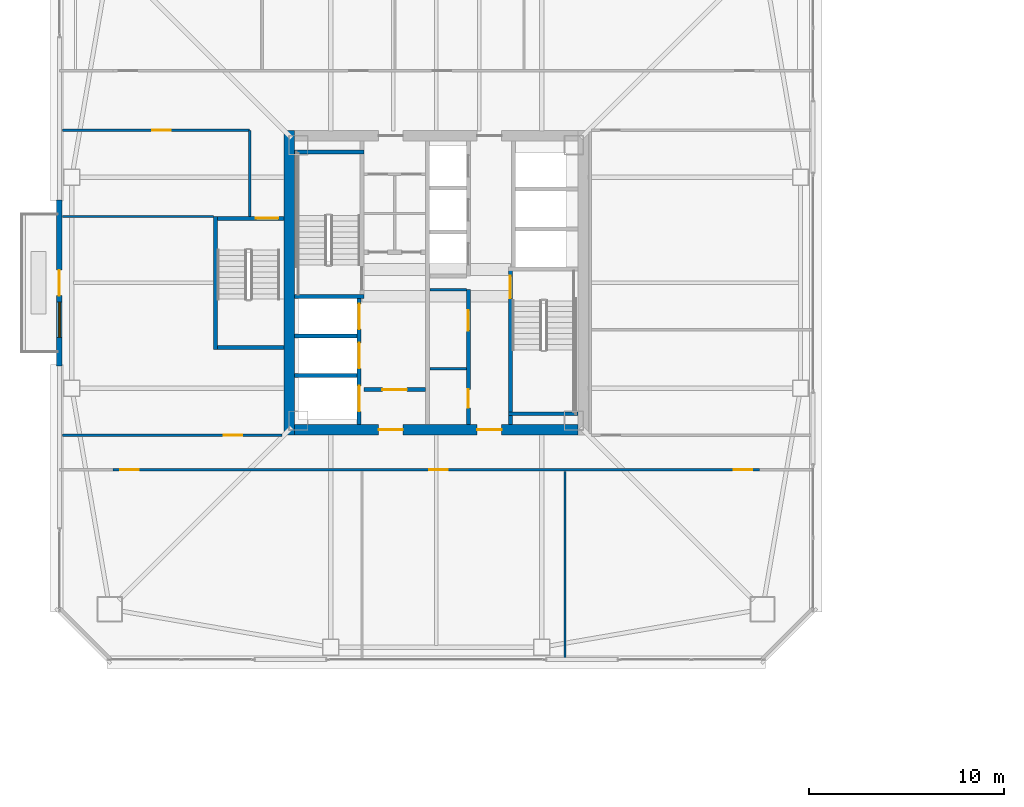
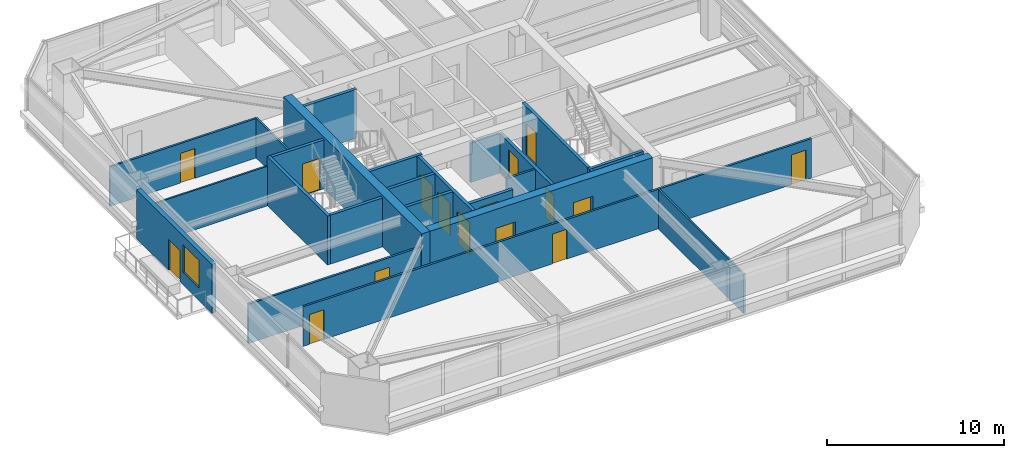
# One storey, part 35 of 46: 23 walls, 16 doors, 1 window, 17 openings.
"""IFC4 building model written with IfcOpenShell, lengths in metres."""

import ifcopenshell
import ifcopenshell.guid

model = None  # the IFC model being written
_history = None  # IfcOwnerHistory: only IFC2X3 demands one
_inside = {}  # id of a spatial element -> (the spatial element, [elements in it])
_under = {}  # id of a project, library or spatial element -> (it, [spatial elements below it])
_declared = {}  # id of a project -> (the project, [libraries it declares])
_typed = {}  # id of a type object -> (the type object, [elements of that type])
_made_of = {}  # id of a material, layer set ... -> (it, [elements and type objects made of it])


def new_model(schema):
    """Start an empty IFC model of exactly this schema.

    Asked for "IFC4X3", IfcOpenShell would pick the latest addendum, in which some entities
    have other attributes; the version numbers below select the first issue.
    IFC2X3 requires an IfcOwnerHistory on every rooted entity: one is made here for all.
    """
    global model, _history
    if schema == "IFC4X3":
        model = ifcopenshell.file(schema_version=(4, 3, 0, 0))
    else:
        model = ifcopenshell.file(schema=schema)
    _inside.clear()
    _under.clear()
    _declared.clear()
    _typed.clear()
    _made_of.clear()
    _history = None
    if model.schema == "IFC2X3":
        org = make("IfcOrganization", Name="unknown")
        user = make(
            "IfcPersonAndOrganization",
            ThePerson=make("IfcPerson", FamilyName="unknown"),
            TheOrganization=org,
        )
        app = make(
            "IfcApplication",
            ApplicationDeveloper=org,
            Version="unknown",
            ApplicationFullName="unknown",
            ApplicationIdentifier="unknown",
        )
        _history = make(
            "IfcOwnerHistory",
            OwningUser=user,
            OwningApplication=app,
            ChangeAction="ADDED",
            CreationDate=0,
        )
    return model


def make(cls, **values):
    """One entity of the class cls with the attributes given. An attribute that is None is left unset."""
    return model.create_entity(
        cls, **{name: value for name, value in values.items() if value is not None}
    )


def rooted(cls, **values):
    """An entity with a GlobalId (a new one), such as an element, a storey or a relation."""
    return make(cls, GlobalId=ifcopenshell.guid.new(), OwnerHistory=_history, **values)


def si_unit(unit_type, name, prefix=None):
    """IfcSIUnit, for example si_unit("LENGTHUNIT", "METRE", prefix="MILLI")."""
    return make("IfcSIUnit", UnitType=unit_type, Prefix=prefix, Name=name)


def assignment(units):
    """IfcUnitAssignment: the units of a project."""
    return None if units is None else make("IfcUnitAssignment", Units=units)


def point(xyz):
    """IfcCartesianPoint."""
    return None if xyz is None else make("IfcCartesianPoint", Coordinates=xyz)


def direction(xyz):
    """IfcDirection."""
    return None if xyz is None else make("IfcDirection", DirectionRatios=xyz)


def frame(location, z_axis=None, x_axis=None):
    """IfcAxis2Placement3D, a coordinate frame: its origin and axes. An axis left out is left unset."""
    return make(
        "IfcAxis2Placement3D",
        Location=point(location),
        Axis=direction(z_axis),
        RefDirection=direction(x_axis),
    )


def frame_2d(location, x_axis=None):
    """IfcAxis2Placement2D, a coordinate frame in the plane: its origin and x axis."""
    return make(
        "IfcAxis2Placement2D", Location=point(location), RefDirection=direction(x_axis)
    )


def origin():
    """The frame at (0, 0, 0) with its axes left unset."""
    return frame((0.0, 0.0, 0.0))


def place(relative_to, where):
    """IfcLocalPlacement: puts the frame where relative to a parent placement (None: the world)."""
    return make(
        "IfcLocalPlacement", PlacementRelTo=relative_to, RelativePlacement=where
    )


def context(
    kind, dimensions, precision=None, world=None, true_north=None, identifier=None
):
    """IfcGeometricRepresentationContext, for example the 3D "Model" context."""
    return make(
        "IfcGeometricRepresentationContext",
        ContextIdentifier=identifier,
        ContextType=kind,
        CoordinateSpaceDimension=dimensions,
        Precision=precision,
        WorldCoordinateSystem=world,
        TrueNorth=true_north,
    )


def subcontext(parent, identifier, kind, view, scale=None):
    """IfcGeometricRepresentationSubContext, for example "Body" below "Model"."""
    return make(
        "IfcGeometricRepresentationSubContext",
        ContextIdentifier=identifier,
        ContextType=kind,
        ParentContext=parent,
        TargetScale=scale,
        TargetView=view,
    )


def project(units=None, contexts=None):
    """IfcProject with its units and contexts."""
    return rooted(
        "IfcProject",
        Name="project",
        RepresentationContexts=contexts,
        UnitsInContext=assignment(units),
    )


def spatial(cls, under=None, at=None, **own):
    """A site, building, storey or space (cls), placed at a placement, below another one or the project."""
    s = rooted(cls, ObjectPlacement=at, **own)
    if under is not None:
        _under.setdefault(under.id(), (under, []))[1].append(s)
    return s


def profile(cls, at=None, kind="AREA", **sizes):
    """A parametric profile (cls). Its sizes go by their IFC names, for example OverallWidth=200.0."""
    return make(cls, ProfileType=kind, Position=at, **sizes)


def rectangle(**sizes):
    """IfcRectangleProfileDef."""
    return profile("IfcRectangleProfileDef", **sizes)


def extrude(swept, where, along, depth):
    """IfcExtrudedAreaSolid: the profile swept, set in the frame where, extruded along a direction by depth."""
    return make(
        "IfcExtrudedAreaSolid",
        SweptArea=swept,
        Position=where,
        ExtrudedDirection=direction(along),
        Depth=depth,
    )


def shape(context_of_items, identifier, shape_type, items):
    """IfcShapeRepresentation: the items that make up one representation, for example the "Body"."""
    return make(
        "IfcShapeRepresentation",
        ContextOfItems=context_of_items,
        RepresentationIdentifier=identifier,
        RepresentationType=shape_type,
        Items=items,
    )


def material(Name=None, Category=None):
    """IfcMaterial."""
    return make("IfcMaterial", Name=Name, Category=Category)


def layer(
    of_material, thickness, ventilated=None, Name=None, Category=None, Priority=None
):
    """IfcMaterialLayer: one layer of a wall or slab, of a material (None: an air gap)."""
    return make(
        "IfcMaterialLayer",
        Material=of_material,
        LayerThickness=thickness,
        IsVentilated=ventilated,
        Name=Name,
        Category=Category,
        Priority=Priority,
    )


def layer_set(layers, Name=None):
    """IfcMaterialLayerSet."""
    return make("IfcMaterialLayerSet", MaterialLayers=layers, LayerSetName=Name)


def made_of(thing, what):
    """Note that an element or type object is made of a material, layer set ...; save() writes the relation."""
    if what is not None:
        _made_of.setdefault(what.id(), (what, []))[1].append(thing)
    return thing


def type_object(cls, material=None, **own):
    """A type object (cls), such as IfcWallType, which elements share."""
    return made_of(rooted(cls, **own), material)


def element(
    cls,
    number,
    at=None,
    inside=None,
    cuts=None,
    type_object=None,
    material=None,
    context=None,
    identifier="Body",
    shape_type=None,
    held_by="IfcProductDefinitionShape",
    body=None,
    shapes=None,
    **own,
):
    """One element of the class cls, such as IfcWall. Its Tag is "e" and its number.

    at: its placement. inside: the storey or other place that contains it. cuts: it is an
    opening in that element (IfcRelVoidsElement). A single representation is given by context,
    identifier, shape_type and body (its items); several are given by shapes. held_by: the class
    of the entity that holds the representations. save() writes the other relations.
    """
    e = rooted(cls, Tag="e%d" % number, ObjectPlacement=at, **own)
    if body is not None:
        shapes = [shape(context, identifier, shape_type, body)]
    if shapes is not None:
        e.Representation = make(held_by, Representations=shapes)
    if inside is not None:
        _inside.setdefault(inside.id(), (inside, []))[1].append(e)
    if cuts is not None:
        rooted(
            "IfcRelVoidsElement", RelatingBuildingElement=cuts, RelatedOpeningElement=e
        )
    if type_object is not None:
        _typed.setdefault(type_object.id(), (type_object, []))[1].append(e)
    return made_of(e, material)


def fill(opening, filler):
    """IfcRelFillsElement: the door or window that sits in an opening."""
    return rooted(
        "IfcRelFillsElement",
        RelatingOpeningElement=opening,
        RelatedBuildingElement=filler,
    )


def aggregate(whole, parts):
    """IfcRelAggregates: a whole, such as a stair, and the parts it consists of."""
    return rooted("IfcRelAggregates", RelatingObject=whole, RelatedObjects=parts)


def save(model, path):
    """Write the relations noted so far, then the file.

    IfcRelAggregates (storeys below a building ...), IfcRelContainedInSpatialStructure (elements
    in a storey), IfcRelDefinesByType, IfcRelAssociatesMaterial and IfcRelDeclares: one each for
    every whole, place, type object, material and project.
    """
    for whole, parts in _under.values():
        aggregate(whole, parts)
    for where, things in _inside.values():
        rooted(
            "IfcRelContainedInSpatialStructure",
            RelatedElements=things,
            RelatingStructure=where,
        )
    for kind, things in _typed.values():
        rooted("IfcRelDefinesByType", RelatedObjects=things, RelatingType=kind)
    for what, things in _made_of.values():
        rooted("IfcRelAssociatesMaterial", RelatedObjects=things, RelatingMaterial=what)
    for by, libraries in _declared.values():
        rooted("IfcRelDeclares", RelatingContext=by, RelatedDefinitions=libraries)
    model.write(path)


model = new_model("IFC4")

# Units and contexts
model_context = context("Model", 3, precision=1e-05, world=origin(), true_north=direction((0.0, 1.0)))
body_context = subcontext(model_context, "Body", "Model", "MODEL_VIEW")
ifc_project = project(units=[si_unit("LENGTHUNIT", "METRE"), si_unit("AREAUNIT", "SQUARE_METRE"), si_unit("VOLUMEUNIT", "CUBIC_METRE"), si_unit("PLANEANGLEUNIT", "RADIAN"), si_unit("MASSUNIT", "GRAM", prefix="KILO")], contexts=[model_context])

# Site, building, storey
site_placement = place(None, origin())
site = spatial("IfcSite", under=ifc_project, at=site_placement, CompositionType="ELEMENT")
building_placement = place(site_placement, origin())
building = spatial("IfcBuilding", under=site, at=building_placement, Name="Tashvorn Skyway Center", CompositionType="ELEMENT")
storey_placement = place(building_placement, frame((0.0, 0.0, 132.14990234375)))
storey = spatial("IfcBuildingStorey", under=building, at=storey_placement, Name="L35", CompositionType="ELEMENT", Elevation=132.14990234375)

# Wall
ifc_material_1 = material(Name="Concrete C60/75", Category="concrete")
ifc_layer_1 = layer(ifc_material_1, 0.550048828125)
ifc_layer_set_1 = layer_set([ifc_layer_1], Name="Concrete C60/75")
wall_type_1 = type_object("IfcWallType", Name="WALL-CORE-550", PredefinedType="SHEAR", material=ifc_layer_set_1)
wall_1_placement = place(storey_placement, frame((34.47509765625, 24.199951171875, 0.0), z_axis=(0.0, 0.0, 1.0), x_axis=(0.0, 1.0, 0.0)))
element("IfcWall", 1, at=wall_1_placement, inside=storey, type_object=wall_type_1, Name="Tower 1 L35 West Core Shear Wall", PredefinedType="SHEAR", context=body_context, shape_type="SweptSolid", body=[
    extrude(rectangle(XDim=15.60009765625, YDim=0.550048828125, at=frame_2d((7.800048828125, 0.0))), origin(), (0.0, 0.0, 1.0), 3.550048828125),
])

# Wall, openings, doors
wall_2_placement = place(storey_placement, frame((49.25, 24.47509765625, 0.0), z_axis=(0.0, 0.0, 1.0), x_axis=(-1.0, 0.0, 0.0)))
wall_2 = element("IfcWall", 2, at=wall_2_placement, inside=storey, type_object=wall_type_1, Name="Tower 1 L35 South Core Shear Wall", PredefinedType="SHEAR", context=body_context, shape_type="SweptSolid", body=[
    extrude(rectangle(XDim=14.5, YDim=0.550048828125, at=frame_2d((7.25, 0.0))), origin(), (0.0, 0.0, 1.0), 3.550048828125),
])
opening_1_placement = place(wall_2_placement, frame((8.949951171875, 0.0, 0.0)))
opening_1 = element("IfcOpeningElement", 3, at=opening_1_placement, cuts=wall_2, Name="Opening D-FFL-1250", PredefinedType="OPENING", context=body_context, shape_type="SweptSolid", body=[
    extrude(rectangle(XDim=1.25, YDim=2.25, at=frame_2d((0.625, 1.125))), frame((0.0, 0.284912109375, 0.0), z_axis=(0.0, -1.0, 0.0), x_axis=(1.0, 0.0, 0.0)), (0.0, 0.0, 1.0), 0.570068359375),
])
opening_2_placement = place(wall_2_placement, frame((3.89990234375, 0.0, 0.0)))
opening_2 = element("IfcOpeningElement", 4, at=opening_2_placement, cuts=wall_2, Name="Opening D-FFL-1250", PredefinedType="OPENING", context=body_context, shape_type="SweptSolid", body=[
    extrude(rectangle(XDim=1.25, YDim=2.25, at=frame_2d((0.625, 1.125))), frame((0.0, 0.284912109375, 0.0), z_axis=(0.0, -1.0, 0.0), x_axis=(1.0, 0.0, 0.0)), (0.0, 0.0, 1.0), 0.570068359375),
])
ifc_material_2 = material(Name="Hollow galvanized steel fire door assembly", Category="steel")
door_type_1 = type_object("IfcDoorType", Name="DOOR-FFL-1250", OperationType="NOTDEFINED", PredefinedType="DOOR", material=ifc_material_2)
door_1_placement = place(opening_1_placement, origin())
door_1 = element("IfcDoor", 5, at=door_1_placement, inside=storey, type_object=door_type_1, Name="Tower 1 L35 Core South Firefighting Exit Door", OperationType="SINGLE_SWING_LEFT", OverallHeight=2.25, OverallWidth=1.25, PredefinedType="DOOR", context=body_context, shape_type="SweptSolid", body=[
    extrude(rectangle(XDim=1.25, YDim=2.25, at=frame_2d((0.625, 1.125))), frame((0.0, 0.02490234375, 0.0), z_axis=(0.0, -1.0, 0.0), x_axis=(1.0, 0.0, 0.0)), (0.0, 0.0, 1.0), 0.050048828125),
])
fill(opening_1, door_1)
door_2_placement = place(opening_2_placement, origin())
door_2 = element("IfcDoor", 6, at=door_2_placement, inside=storey, type_object=door_type_1, Name="Tower 1 L35 Core South Lift Lobby Door", OperationType="SINGLE_SWING_RIGHT", OverallHeight=2.25, OverallWidth=1.25, PredefinedType="DOOR", context=body_context, shape_type="SweptSolid", body=[
    extrude(rectangle(XDim=1.25, YDim=2.25, at=frame_2d((0.625, 1.125))), frame((0.0, 0.02490234375, 0.0), z_axis=(0.0, -1.0, 0.0), x_axis=(1.0, 0.0, 0.0)), (0.0, 0.0, 1.0), 0.050048828125),
])
fill(opening_2, door_2)

# Wall, openings, door, window
ifc_material_3 = material(Name="Precast concrete C40/50", Category="concrete")
ifc_layer_2 = layer(ifc_material_3, 0.280029296875)
ifc_layer_set_2 = layer_set([ifc_layer_2], Name="Precast concrete C40/50")
wall_type_2 = type_object("IfcWallType", Name="WALL-EXT-280", PredefinedType="SOLIDWALL", material=ifc_layer_set_2)
wall_3_placement = place(storey_placement, frame((22.719970703125, 27.75, 0.0), z_axis=(0.0, 0.0, 1.0), x_axis=(0.0, 1.0, 0.0)))
wall_3 = element("IfcWall", 7, at=wall_3_placement, inside=storey, type_object=wall_type_2, Name="Tower 1 L35 West Terrace Portal Wall", PredefinedType="SOLIDWALL", context=body_context, shape_type="SweptSolid", body=[
    extrude(rectangle(XDim=8.5, YDim=0.280029296875, at=frame_2d((4.25, 0.0))), origin(), (0.0, 0.0, 1.0), 3.3701171875),
])
opening_3_placement = place(wall_3_placement, frame((3.60009765625, 0.0, 0.0)))
opening_3 = element("IfcOpeningElement", 8, at=opening_3_placement, cuts=wall_3, Name="Opening D-TER-1300", PredefinedType="OPENING", context=body_context, shape_type="SweptSolid", body=[
    extrude(rectangle(XDim=1.300048828125, YDim=2.14990234375, at=frame_2d((0.64990234375, 1.074951171875))), frame((0.0, 0.14990234375, 0.0), z_axis=(0.0, -1.0, 0.0), x_axis=(1.0, 0.0, 0.0)), (0.0, 0.0, 1.0), 0.300048828125),
])
opening_4_placement = place(wall_3_placement, frame((1.4599609375, 0.0, 0.85009765625)))
opening_4 = element("IfcOpeningElement", 9, at=opening_4_placement, cuts=wall_3, Name="Opening WIN-1800", PredefinedType="OPENING", context=body_context, shape_type="SweptSolid", body=[
    extrude(rectangle(XDim=1.800048828125, YDim=1.919921875, at=frame_2d((0.89990234375, 0.9599609375))), frame((0.0, 0.14990234375, 0.0), z_axis=(0.0, -1.0, 0.0), x_axis=(1.0, 0.0, 0.0)), (0.0, 0.0, 1.0), 0.300048828125),
])
ifc_material_4 = material(Name="Thermally broken bronze-anodized aluminium 6063-T6", Category="aluminium")
door_type_2 = type_object("IfcDoorType", Name="DOOR-TERR-1300", OperationType="NOTDEFINED", PredefinedType="DOOR", material=ifc_material_4)
door_3_placement = place(opening_3_placement, origin())
door_3 = element("IfcDoor", 10, at=door_3_placement, inside=storey, type_object=door_type_2, Name="Tower 1 L35 Terrace Access Door", OperationType="SINGLE_SWING_LEFT", OverallHeight=2.14990234375, OverallWidth=1.300048828125, PredefinedType="DOOR", context=body_context, shape_type="SweptSolid", body=[
    extrude(rectangle(XDim=1.300048828125, YDim=2.14990234375, at=frame_2d((0.64990234375, 1.074951171875))), frame((0.0, 0.02490234375, 0.0), z_axis=(0.0, -1.0, 0.0), x_axis=(1.0, 0.0, 0.0)), (0.0, 0.0, 1.0), 0.050048828125),
])
fill(opening_3, door_3)
ifc_material_5 = material(Name="Low-E solar-control double insulating safety glass", Category="glass")
window_type = type_object("IfcWindowType", Name="WIN-TERR-1800", PartitioningType="SINGLE_PANEL", PredefinedType="WINDOW", material=ifc_material_5)
window_placement = place(opening_4_placement, origin())
window = element("IfcWindow", 11, at=window_placement, inside=storey, type_object=window_type, Name="Tower 1 L35 Terrace Window", OverallHeight=1.919921875, OverallWidth=1.800048828125, PartitioningType="SINGLE_PANEL", PredefinedType="WINDOW", context=body_context, shape_type="SweptSolid", body=[
    extrude(rectangle(XDim=1.800048828125, YDim=1.919921875, at=frame_2d((0.89990234375, 0.9599609375))), frame((0.0, 0.030029296875, 0.0), z_axis=(0.0, -1.0, 0.0), x_axis=(1.0, 0.0, 0.0)), (0.0, 0.0, 1.0), 0.06005859375),
])
fill(opening_4, window)

# Wall, opening, door
ifc_material_6 = material(Name="Concrete C40/50", Category="concrete")
ifc_layer_3 = layer(ifc_material_6, 0.219970703125)
ifc_layer_set_3 = layer_set([ifc_layer_3], Name="Concrete C40/50")
wall_type_3 = type_object("IfcWallType", Name="WALL-FFL-220", PredefinedType="SOLIDWALL", material=ifc_layer_set_3)
wall_4_placement = place(storey_placement, frame((38.300048828125, 26.5400390625, 0.0), z_axis=(0.0, 0.0, 1.0), x_axis=(1.0, 0.0, 0.0)))
wall_4 = element("IfcWall", 12, at=wall_4_placement, inside=storey, type_object=wall_type_3, Name="Tower 1 L35 Firefighting Lobby South Wall", PredefinedType="SOLIDWALL", context=body_context, shape_type="SweptSolid", body=[
    extrude(rectangle(XDim=3.14990234375, YDim=0.219970703125, at=frame_2d((1.574951171875, 0.0))), origin(), (0.0, 0.0, 1.0), 2.72314453125),
])
opening_5_placement = place(wall_4_placement, frame((0.949951171875, 0.0, 0.0)))
opening_5 = element("IfcOpeningElement", 13, at=opening_5_placement, cuts=wall_4, Name="Opening D-FFL-1250", PredefinedType="OPENING", context=body_context, shape_type="SweptSolid", body=[
    extrude(rectangle(XDim=1.25, YDim=2.25, at=frame_2d((0.625, 1.125))), frame((0.0, 0.119873046875, 0.0), z_axis=(0.0, -1.0, 0.0), x_axis=(1.0, 0.0, 0.0)), (0.0, 0.0, 1.0), 0.239990234375),
])
door_4_placement = place(opening_5_placement, origin())
door_4 = element("IfcDoor", 14, at=door_4_placement, inside=storey, type_object=door_type_1, Name="Tower 1 L35 Firefighting Lobby Egress Door", OperationType="SINGLE_SWING_LEFT", OverallHeight=2.25, OverallWidth=1.25, PredefinedType="DOOR", context=body_context, shape_type="SweptSolid", body=[
    extrude(rectangle(XDim=1.25, YDim=2.25, at=frame_2d((0.625, 1.125))), frame((0.0, 0.02490234375, 0.0), z_axis=(0.0, -1.0, 0.0), x_axis=(1.0, 0.0, 0.0)), (0.0, 0.0, 1.0), 0.050048828125),
])
fill(opening_5, door_4)

# Walls
ifc_material_7 = material(Name="Gypsum board on cold-formed steel stud framing", Category="steel")
ifc_layer_4 = layer(ifc_material_7, 0.110107421875)
ifc_layer_set_4 = layer_set([ifc_layer_4], Name="Gypsum board on cold-formed steel stud framing")
wall_type_4 = type_object("IfcWallType", Name="WALL-PART-110", PredefinedType="PARTITIONING", material=ifc_layer_set_4)
wall_5_placement = place(storey_placement, frame((48.60009765625, 12.719970703125, 0.0), z_axis=(0.0, 0.0, 1.0), x_axis=(0.0, 1.0, 0.0)))
element("IfcWall", 15, at=wall_5_placement, inside=storey, type_object=wall_type_4, Name="Tower 1 L35 South Suite Partition 2", PredefinedType="PARTITIONING", context=body_context, shape_type="SweptSolid", body=[
    extrude(rectangle(XDim=9.630126953125, YDim=0.110107421875, at=frame_2d((4.81494140625, 0.0))), origin(), (0.0, 0.0, 1.0), 2.72314453125),
])
wall_6_placement = place(storey_placement, frame((30.60009765625, 35.39990234375, 0.0), z_axis=(0.0, 0.0, 1.0), x_axis=(-1.0, 0.0, 0.0)))
element("IfcWall", 16, at=wall_6_placement, inside=storey, type_object=wall_type_4, Name="Tower 1 L35 West Suite Partition 1", PredefinedType="PARTITIONING", context=body_context, shape_type="SweptSolid", body=[
    extrude(rectangle(XDim=7.72998046875, YDim=0.110107421875, at=frame_2d((3.864990234375, 0.0))), origin(), (0.0, 0.0, 1.0), 2.72314453125),
])
ifc_layer_5 = layer(ifc_material_7, 0.135009765625)
ifc_layer_set_5 = layer_set([ifc_layer_5], Name="Gypsum board on cold-formed steel stud framing")
wall_type_5 = type_object("IfcWallType", Name="WALL-PART-135", PredefinedType="PARTITIONING", material=ifc_layer_set_5)
wall_7_placement = place(storey_placement, frame((32.449951171875, 35.39990234375, 0.0), z_axis=(0.0, 0.0, 1.0), x_axis=(0.0, 1.0, 0.0)))
element("IfcWall", 17, at=wall_7_placement, inside=storey, type_object=wall_type_5, Name="Tower 1 L35 Stair 3 Access Corridor Wall", PredefinedType="PARTITIONING", context=body_context, shape_type="SweptSolid", body=[
    extrude(rectangle(XDim=4.400146484375, YDim=0.135009765625, at=frame_2d((2.2001953125, 0.0))), origin(), (0.0, 0.0, 1.0), 2.72314453125),
])

# Wall, openings, doors
wall_8_placement = place(storey_placement, frame((58.550048828125, 22.429931640625, 0.0), z_axis=(0.0, 0.0, 1.0), x_axis=(-1.0, 0.0, 0.0)))
wall_8 = element("IfcWall", 18, at=wall_8_placement, inside=storey, type_object=wall_type_5, Name="Tower 1 L35 South Suite Wall", PredefinedType="PARTITIONING", context=body_context, shape_type="SweptSolid", body=[
    extrude(rectangle(XDim=33.10009765625, YDim=0.135009765625, at=frame_2d((16.550048828125, 0.0))), origin(), (0.0, 0.0, 1.0), 2.72314453125),
])
opening_6_placement = place(wall_8_placement, frame((31.77001953125, 0.0, 0.0)))
opening_6 = element("IfcOpeningElement", 19, at=opening_6_placement, cuts=wall_8, Name="Opening D-INT-950", PredefinedType="OPENING", context=body_context, shape_type="SweptSolid", body=[
    extrude(rectangle(XDim=0.949951171875, YDim=2.050048828125, at=frame_2d((0.47509765625, 1.02490234375))), frame((0.0, 0.077392578125, 0.0), z_axis=(0.0, -1.0, 0.0), x_axis=(1.0, 0.0, 0.0)), (0.0, 0.0, 1.0), 0.155029296875),
])
opening_7_placement = place(wall_8_placement, frame((15.952880859375, 0.0, 0.0)))
opening_7 = element("IfcOpeningElement", 20, at=opening_7_placement, cuts=wall_8, Name="Opening D-INT-950", PredefinedType="OPENING", context=body_context, shape_type="SweptSolid", body=[
    extrude(rectangle(XDim=0.949951171875, YDim=2.050048828125, at=frame_2d((0.47509765625, 1.02490234375))), frame((0.0, 0.077392578125, 0.0), z_axis=(0.0, -1.0, 0.0), x_axis=(1.0, 0.0, 0.0)), (0.0, 0.0, 1.0), 0.155029296875),
])
opening_8_placement = place(wall_8_placement, frame((0.3798828125, 0.0, 0.0)))
opening_8 = element("IfcOpeningElement", 21, at=opening_8_placement, cuts=wall_8, Name="Opening D-INT-950", PredefinedType="OPENING", context=body_context, shape_type="SweptSolid", body=[
    extrude(rectangle(XDim=0.949951171875, YDim=2.050048828125, at=frame_2d((0.47509765625, 1.02490234375))), frame((0.0, 0.077392578125, 0.0), z_axis=(0.0, -1.0, 0.0), x_axis=(1.0, 0.0, 0.0)), (0.0, 0.0, 1.0), 0.155029296875),
])
ifc_material_8 = material(Name="Solid-core architectural oak veneer door")
door_type_3 = type_object("IfcDoorType", Name="DOOR-INT-950", OperationType="NOTDEFINED", PredefinedType="DOOR", material=ifc_material_8)
door_5_placement = place(opening_6_placement, origin())
door_5 = element("IfcDoor", 22, at=door_5_placement, inside=storey, type_object=door_type_3, Name="Tower 1 L35 Conference Room Door", OperationType="SINGLE_SWING_RIGHT", OverallHeight=2.050048828125, OverallWidth=0.949951171875, PredefinedType="DOOR", context=body_context, shape_type="SweptSolid", body=[
    extrude(rectangle(XDim=0.949951171875, YDim=2.050048828125, at=frame_2d((0.47509765625, 1.02490234375))), frame((0.0, 0.02490234375, 0.0), z_axis=(0.0, -1.0, 0.0), x_axis=(1.0, 0.0, 0.0)), (0.0, 0.0, 1.0), 0.050048828125),
])
fill(opening_6, door_5)
door_6_placement = place(opening_7_placement, origin())
door_6 = element("IfcDoor", 23, at=door_6_placement, inside=storey, type_object=door_type_3, Name="Tower 1 L35 Collaborative Studio Door", OperationType="SINGLE_SWING_LEFT", OverallHeight=2.050048828125, OverallWidth=0.949951171875, PredefinedType="DOOR", context=body_context, shape_type="SweptSolid", body=[
    extrude(rectangle(XDim=0.949951171875, YDim=2.050048828125, at=frame_2d((0.47509765625, 1.02490234375))), frame((0.0, 0.02490234375, 0.0), z_axis=(0.0, -1.0, 0.0), x_axis=(1.0, 0.0, 0.0)), (0.0, 0.0, 1.0), 0.050048828125),
])
fill(opening_7, door_6)
door_7_placement = place(opening_8_placement, origin())
door_7 = element("IfcDoor", 24, at=door_7_placement, inside=storey, type_object=door_type_3, Name="Tower 1 L35 Collaborative Studio Door", OperationType="SINGLE_SWING_RIGHT", OverallHeight=2.050048828125, OverallWidth=0.949951171875, PredefinedType="DOOR", context=body_context, shape_type="SweptSolid", body=[
    extrude(rectangle(XDim=0.949951171875, YDim=2.050048828125, at=frame_2d((0.47509765625, 1.02490234375))), frame((0.0, 0.02490234375, 0.0), z_axis=(0.0, -1.0, 0.0), x_axis=(1.0, 0.0, 0.0)), (0.0, 0.0, 1.0), 0.050048828125),
])
fill(opening_8, door_7)

# Wall, opening, door
wall_9_placement = place(storey_placement, frame((32.449951171875, 39.800048828125, 0.0), z_axis=(0.0, 0.0, 1.0), x_axis=(-1.0, 0.0, 0.0)))
wall_9 = element("IfcWall", 25, at=wall_9_placement, inside=storey, type_object=wall_type_5, Name="Tower 1 L35 West Suite North Wall", PredefinedType="PARTITIONING", context=body_context, shape_type="SweptSolid", body=[
    extrude(rectangle(XDim=9.579833984375, YDim=0.135009765625, at=frame_2d((4.7900390625, 0.0))), origin(), (0.0, 0.0, 1.0), 2.72314453125),
])
opening_9_placement = place(wall_9_placement, frame((4.0400390625, 0.0, 0.0)))
opening_9 = element("IfcOpeningElement", 26, at=opening_9_placement, cuts=wall_9, Name="Opening D-INT-950", PredefinedType="OPENING", context=body_context, shape_type="SweptSolid", body=[
    extrude(rectangle(XDim=0.949951171875, YDim=2.050048828125, at=frame_2d((0.47509765625, 1.02490234375))), frame((0.0, 0.077392578125, 0.0), z_axis=(0.0, -1.0, 0.0), x_axis=(1.0, 0.0, 0.0)), (0.0, 0.0, 1.0), 0.155029296875),
])
door_8_placement = place(opening_9_placement, origin())
door_8 = element("IfcDoor", 27, at=door_8_placement, inside=storey, type_object=door_type_3, Name="Tower 1 L35 Catering Pantry Door", OperationType="SINGLE_SWING_LEFT", OverallHeight=2.050048828125, OverallWidth=0.949951171875, PredefinedType="DOOR", context=body_context, shape_type="SweptSolid", body=[
    extrude(rectangle(XDim=0.949951171875, YDim=2.050048828125, at=frame_2d((0.47509765625, 1.02490234375))), frame((0.0, 0.02490234375, 0.0), z_axis=(0.0, -1.0, 0.0), x_axis=(1.0, 0.0, 0.0)), (0.0, 0.0, 1.0), 0.050048828125),
])
fill(opening_9, door_8)

wall_10_placement = place(storey_placement, frame((22.8701171875, 24.199951171875, 0.0), z_axis=(0.0, 0.0, 1.0), x_axis=(1.0, 0.0, 0.0)))
wall_10 = element("IfcWall", 28, at=wall_10_placement, inside=storey, type_object=wall_type_5, Name="Tower 1 L35 West Suite South Wall", PredefinedType="PARTITIONING", context=body_context, shape_type="SweptSolid", body=[
    extrude(rectangle(XDim=11.25, YDim=0.135009765625, at=frame_2d((5.625, 0.0))), origin(), (0.0, 0.0, 1.0), 2.72314453125),
])
opening_10_placement = place(wall_10_placement, frame((8.2548828125, 0.0, 0.0)))
opening_10 = element("IfcOpeningElement", 29, at=opening_10_placement, cuts=wall_10, Name="Opening D-INT-950", PredefinedType="OPENING", context=body_context, shape_type="SweptSolid", body=[
    extrude(rectangle(XDim=0.949951171875, YDim=2.050048828125, at=frame_2d((0.47509765625, 1.02490234375))), frame((0.0, 0.077392578125, 0.0), z_axis=(0.0, -1.0, 0.0), x_axis=(1.0, 0.0, 0.0)), (0.0, 0.0, 1.0), 0.155029296875),
])
door_9_placement = place(opening_10_placement, origin())
door_9 = element("IfcDoor", 30, at=door_9_placement, inside=storey, type_object=door_type_3, Name="Tower 1 L35 Public Restroom Door", OperationType="SINGLE_SWING_RIGHT", OverallHeight=2.050048828125, OverallWidth=0.949951171875, PredefinedType="DOOR", context=body_context, shape_type="SweptSolid", body=[
    extrude(rectangle(XDim=0.949951171875, YDim=2.050048828125, at=frame_2d((0.47509765625, 1.02490234375))), frame((0.0, 0.02490234375, 0.0), z_axis=(0.0, -1.0, 0.0), x_axis=(1.0, 0.0, 0.0)), (0.0, 0.0, 1.0), 0.050048828125),
])
fill(opening_10, door_9)

# Walls
ifc_layer_6 = layer(ifc_material_7, 0.135009765625)
ifc_layer_set_6 = layer_set([ifc_layer_6], Name="Gypsum board on cold-formed steel stud framing")
wall_type_6 = type_object("IfcWallType", Name="WALL-RATED-135", PredefinedType="PARTITIONING", material=ifc_layer_set_6)
for number, where, z_axis, x_axis, name in (
    (31, (41.669921875, 31.64990234375, 0.0), (0.0, 0.0, 1.0), (1.0, 0.0, 0.0), "Tower 1 L35 Core Room Partition"),
    (32, (41.669921875, 27.60009765625, 0.0), (0.0, 0.0, 1.0), (1.0, 0.0, 0.0), "Tower 1 L35 Freed Core Partition"),
):
    element("IfcWall", number, at=place(storey_placement, frame(where, z_axis=z_axis, x_axis=x_axis)), inside=storey, type_object=wall_type_6, Name=name, PredefinedType="PARTITIONING", context=body_context, shape_type="SweptSolid", body=[
        extrude(rectangle(XDim=1.880126953125, YDim=0.135009765625, at=frame_2d((0.93994140625, 0.0))), origin(), (0.0, 0.0, 1.0), 2.72314453125),
    ])
ifc_layer_7 = layer(ifc_material_6, 0.199951171875)
ifc_layer_set_7 = layer_set([ifc_layer_7], Name="Concrete C40/50")
wall_type_7 = type_object("IfcWallType", Name="WALL-SHAFT-200", PredefinedType="SOLIDWALL", material=ifc_layer_set_7)
for number, where, z_axis, x_axis, name in (
    (33, (34.75, 27.25, 0.0), (0.0, 0.0, 1.0), (1.0, 0.0, 0.0), "Tower 1 L35 FSAE Shaft Divider"),
    (34, (34.75, 29.280029296875, 0.0), (0.0, 0.0, 1.0), (1.0, 0.0, 0.0), "Tower 1 L35 FSAE Shaft Divider"),
):
    element("IfcWall", number, at=place(storey_placement, frame(where, z_axis=z_axis, x_axis=x_axis)), inside=storey, type_object=wall_type_7, Name=name, PredefinedType="SOLIDWALL", context=body_context, shape_type="SweptSolid", body=[
        extrude(rectangle(XDim=3.199951171875, YDim=0.199951171875, at=frame_2d((1.60009765625, 0.0))), origin(), (0.0, 0.0, 1.0), 3.3701171875),
    ])

# Wall, openings, doors
wall_11_placement = place(storey_placement, frame((43.64990234375, 24.75, 0.0), z_axis=(0.0, 0.0, 1.0), x_axis=(0.0, 1.0, 0.0)))
wall_11 = element("IfcWall", 35, at=wall_11_placement, inside=storey, type_object=wall_type_7, Name="Tower 1 L35 Low-Rise Core Wall", PredefinedType="SOLIDWALL", context=body_context, shape_type="SweptSolid", body=[
    extrude(rectangle(XDim=6.89990234375, YDim=0.199951171875, at=frame_2d((3.449951171875, 0.0))), origin(), (0.0, 0.0, 1.0), 2.72314453125),
])
opening_11_placement = place(wall_11_placement, frame((0.85009765625, 0.0, 0.0)))
opening_11 = element("IfcOpeningElement", 36, at=opening_11_placement, cuts=wall_11, Name="Opening D-RT-950", PredefinedType="OPENING", context=body_context, shape_type="SweptSolid", body=[
    extrude(rectangle(XDim=0.949951171875, YDim=2.050048828125, at=frame_2d((0.47509765625, 1.02490234375))), frame((0.0, 0.10986328125, 0.0), z_axis=(0.0, -1.0, 0.0), x_axis=(1.0, 0.0, 0.0)), (0.0, 0.0, 1.0), 0.219970703125),
])
opening_12_placement = place(wall_11_placement, frame((4.800048828125, 0.0, 0.0)))
opening_12 = element("IfcOpeningElement", 37, at=opening_12_placement, cuts=wall_11, Name="Opening D-RT-1050", PredefinedType="OPENING", context=body_context, shape_type="SweptSolid", body=[
    extrude(rectangle(XDim=1.050048828125, YDim=2.199951171875, at=frame_2d((0.52490234375, 1.10009765625))), frame((0.0, 0.10986328125, 0.0), z_axis=(0.0, -1.0, 0.0), x_axis=(1.0, 0.0, 0.0)), (0.0, 0.0, 1.0), 0.219970703125),
])
door_type_4 = type_object("IfcDoorType", Name="DOOR-RATED-1050", OperationType="NOTDEFINED", PredefinedType="DOOR", material=ifc_material_2)
door_10_placement = place(opening_12_placement, origin())
door_10 = element("IfcDoor", 38, at=door_10_placement, inside=storey, type_object=door_type_4, Name="Tower 1 L35 Freed Core Room Door", OperationType="SINGLE_SWING_RIGHT", OverallHeight=2.199951171875, OverallWidth=1.050048828125, PredefinedType="DOOR", context=body_context, shape_type="SweptSolid", body=[
    extrude(rectangle(XDim=1.050048828125, YDim=2.199951171875, at=frame_2d((0.52490234375, 1.10009765625))), frame((0.0, 0.02490234375, 0.0), z_axis=(0.0, -1.0, 0.0), x_axis=(1.0, 0.0, 0.0)), (0.0, 0.0, 1.0), 0.050048828125),
])
fill(opening_12, door_10)
door_type_5 = type_object("IfcDoorType", Name="DOOR-RATED-950", OperationType="NOTDEFINED", PredefinedType="DOOR", material=ifc_material_2)
door_11_placement = place(opening_11_placement, origin())
door_11 = element("IfcDoor", 39, at=door_11_placement, inside=storey, type_object=door_type_5, Name="Tower 1 L35 Core Print Room Door", OperationType="SINGLE_SWING_LEFT", OverallHeight=2.050048828125, OverallWidth=0.949951171875, PredefinedType="DOOR", context=body_context, shape_type="SweptSolid", body=[
    extrude(rectangle(XDim=0.949951171875, YDim=2.050048828125, at=frame_2d((0.47509765625, 1.02490234375))), frame((0.0, 0.02490234375, 0.0), z_axis=(0.0, -1.0, 0.0), x_axis=(1.0, 0.0, 0.0)), (0.0, 0.0, 1.0), 0.050048828125),
])
fill(opening_11, door_11)

# Walls
ifc_layer_8 = layer(ifc_material_6, 0.199951171875)
ifc_layer_set_8 = layer_set([ifc_layer_8], Name="Concrete C40/50")
wall_type_8 = type_object("IfcWallType", Name="WALL-STSHF-200", PredefinedType="SHEAR", material=ifc_layer_set_8)
for number, where, z_axis, x_axis, name in (
    (40, (34.75, 31.300048828125, 0.0), (0.0, 0.0, 1.0), (1.0, 0.0, 0.0), "Tower 1 L35 Stair 1 South Wall"),
    (41, (34.75, 38.699951171875, 0.0), (0.0, 0.0, 1.0), (1.0, 0.0, 0.0), "Tower 1 L35 Stair 1 North Wall"),
):
    element("IfcWall", number, at=place(storey_placement, frame(where, z_axis=z_axis, x_axis=x_axis)), inside=storey, type_object=wall_type_8, Name=name, PredefinedType="SHEAR", context=body_context, shape_type="SweptSolid", body=[
        extrude(rectangle(XDim=3.550048828125, YDim=0.199951171875, at=frame_2d((1.77490234375, 0.0))), origin(), (0.0, 0.0, 1.0), 3.3701171875),
    ])

# Wall, opening, door
wall_12_placement = place(storey_placement, frame((45.800048828125, 32.800048828125, 0.0), z_axis=(0.0, 0.0, 1.0), x_axis=(0.0, -1.0, 0.0)))
wall_12 = element("IfcWall", 42, at=wall_12_placement, inside=storey, type_object=wall_type_8, Name="Tower 1 L35 Stair 2 Enclosure Wall", PredefinedType="SHEAR", context=body_context, shape_type="SweptSolid", body=[
    extrude(rectangle(XDim=8.050048828125, YDim=0.199951171875, at=frame_2d((4.02490234375, 0.0))), origin(), (0.0, 0.0, 1.0), 3.3701171875),
])
opening_13_placement = place(wall_12_placement, frame((0.449951171875, 0.0, 0.0)))
opening_13 = element("IfcOpeningElement", 43, at=opening_13_placement, cuts=wall_12, Name="Opening D-ST-1150", PredefinedType="OPENING", context=body_context, shape_type="SweptSolid", body=[
    extrude(rectangle(XDim=1.14990234375, YDim=2.199951171875, at=frame_2d((0.574951171875, 1.10009765625))), frame((0.0, 0.10986328125, 0.0), z_axis=(0.0, -1.0, 0.0), x_axis=(1.0, 0.0, 0.0)), (0.0, 0.0, 1.0), 0.219970703125),
])
door_type_6 = type_object("IfcDoorType", Name="DOOR-STAIR-1150", OperationType="NOTDEFINED", PredefinedType="DOOR", material=ifc_material_2)
door_12_placement = place(opening_13_placement, origin())
door_12 = element("IfcDoor", 44, at=door_12_placement, inside=storey, type_object=door_type_6, Name="Tower 1 L35 Exit Stair 2 Door", OperationType="SINGLE_SWING_RIGHT", OverallHeight=2.199951171875, OverallWidth=1.14990234375, PredefinedType="DOOR", context=body_context, shape_type="SweptSolid", body=[
    extrude(rectangle(XDim=1.14990234375, YDim=2.199951171875, at=frame_2d((0.574951171875, 1.10009765625))), frame((0.0, 0.02490234375, 0.0), z_axis=(0.0, -1.0, 0.0), x_axis=(1.0, 0.0, 0.0)), (0.0, 0.0, 1.0), 0.050048828125),
])
fill(opening_13, door_12)

# Wall
wall_13_placement = place(storey_placement, frame((45.699951171875, 25.300048828125, 0.0), z_axis=(0.0, 0.0, 1.0), x_axis=(1.0, 0.0, 0.0)))
element("IfcWall", 45, at=wall_13_placement, inside=storey, type_object=wall_type_8, Name="Tower 1 L35 Stair 2 South Wall", PredefinedType="SHEAR", context=body_context, shape_type="SweptSolid", body=[
    extrude(rectangle(XDim=3.550048828125, YDim=0.199951171875, at=frame_2d((1.77490234375, 0.0))), origin(), (0.0, 0.0, 1.0), 3.3701171875),
])

# Wall, openings, doors
wall_14_placement = place(storey_placement, frame((38.050048828125, 24.75, 0.0), z_axis=(0.0, 0.0, 1.0), x_axis=(0.0, 1.0, 0.0)))
wall_14 = element("IfcWall", 46, at=wall_14_placement, inside=storey, type_object=wall_type_8, Name="Tower 1 L35 FSAE and Goods Shaft Front Wall", PredefinedType="SHEAR", context=body_context, shape_type="SweptSolid", body=[
    extrude(rectangle(XDim=6.449951171875, YDim=0.199951171875, at=frame_2d((3.22509765625, 0.0))), origin(), (0.0, 0.0, 1.0), 3.3701171875),
])
opening_14_placement = place(wall_14_placement, frame((4.875, 0.0, 0.0)))
opening_14 = element("IfcOpeningElement", 47, at=opening_14_placement, cuts=wall_14, Name="Opening LD-FF-T1-1-L35", PredefinedType="OPENING", context=body_context, shape_type="SweptSolid", body=[
    extrude(rectangle(XDim=1.300048828125, YDim=2.25, at=frame_2d((0.64990234375, 1.125))), frame((0.0, 0.10986328125, 0.0), z_axis=(0.0, -1.0, 0.0), x_axis=(1.0, 0.0, 0.0)), (0.0, 0.0, 1.0), 0.219970703125),
])
opening_15_placement = place(wall_14_placement, frame((2.875, 0.0, 0.0)))
opening_15 = element("IfcOpeningElement", 48, at=opening_15_placement, cuts=wall_14, Name="Opening LD-FF-T1-2-L35", PredefinedType="OPENING", context=body_context, shape_type="SweptSolid", body=[
    extrude(rectangle(XDim=1.300048828125, YDim=2.25, at=frame_2d((0.64990234375, 1.125))), frame((0.0, 0.10986328125, 0.0), z_axis=(0.0, -1.0, 0.0), x_axis=(1.0, 0.0, 0.0)), (0.0, 0.0, 1.0), 0.219970703125),
])
opening_16_placement = place(wall_14_placement, frame((0.675048828125, 0.0, 0.0)))
opening_16 = element("IfcOpeningElement", 49, at=opening_16_placement, cuts=wall_14, Name="Opening LD-GD-T1-1-L35", PredefinedType="OPENING", context=body_context, shape_type="SweptSolid", body=[
    extrude(rectangle(XDim=1.300048828125, YDim=2.25, at=frame_2d((0.64990234375, 1.125))), frame((0.0, 0.10986328125, 0.0), z_axis=(0.0, -1.0, 0.0), x_axis=(1.0, 0.0, 0.0)), (0.0, 0.0, 1.0), 0.219970703125),
])
ifc_material_9 = material(Name="Stainless steel heavy-duty landing door", Category="steel")
door_type_7 = type_object("IfcDoorType", Name="DOOR-LIFT-1300", OperationType="SLIDING_TO_LEFT", PredefinedType="DOOR", material=ifc_material_9)
door_13_placement = place(opening_14_placement, origin())
door_13 = element("IfcDoor", 50, at=door_13_placement, inside=storey, type_object=door_type_7, Name="Lift FF-T1-1 L35 Landing Door", OperationType="SLIDING_TO_LEFT", OverallHeight=2.25, OverallWidth=1.300048828125, PredefinedType="DOOR", context=body_context, shape_type="SweptSolid", body=[
    extrude(rectangle(XDim=1.300048828125, YDim=2.25, at=frame_2d((0.64990234375, 1.125))), frame((0.0, 0.02490234375, 0.0), z_axis=(0.0, -1.0, 0.0), x_axis=(1.0, 0.0, 0.0)), (0.0, 0.0, 1.0), 0.050048828125),
])
fill(opening_14, door_13)
door_14_placement = place(opening_15_placement, origin())
door_14 = element("IfcDoor", 51, at=door_14_placement, inside=storey, type_object=door_type_7, Name="Lift FF-T1-2 L35 Landing Door", OperationType="SLIDING_TO_LEFT", OverallHeight=2.25, OverallWidth=1.300048828125, PredefinedType="DOOR", context=body_context, shape_type="SweptSolid", body=[
    extrude(rectangle(XDim=1.300048828125, YDim=2.25, at=frame_2d((0.64990234375, 1.125))), frame((0.0, 0.02490234375, 0.0), z_axis=(0.0, -1.0, 0.0), x_axis=(1.0, 0.0, 0.0)), (0.0, 0.0, 1.0), 0.050048828125),
])
fill(opening_15, door_14)
door_15_placement = place(opening_16_placement, origin())
door_15 = element("IfcDoor", 52, at=door_15_placement, inside=storey, type_object=door_type_7, Name="Lift GD-T1-1 L35 Landing Door", OperationType="SLIDING_TO_LEFT", OverallHeight=2.25, OverallWidth=1.300048828125, PredefinedType="DOOR", context=body_context, shape_type="SweptSolid", body=[
    extrude(rectangle(XDim=1.300048828125, YDim=2.25, at=frame_2d((0.64990234375, 1.125))), frame((0.0, 0.02490234375, 0.0), z_axis=(0.0, -1.0, 0.0), x_axis=(1.0, 0.0, 0.0)), (0.0, 0.0, 1.0), 0.050048828125),
])
fill(opening_16, door_15)

# Wall
wall_15_placement = place(storey_placement, frame((30.699951171875, 28.60009765625, 0.0), z_axis=(0.0, 0.0, 1.0), x_axis=(0.0, 1.0, 0.0)))
element("IfcWall", 53, at=wall_15_placement, inside=storey, type_object=wall_type_8, Name="Tower 1 L35 Stair 3 Outer Wall", PredefinedType="SHEAR", context=body_context, shape_type="SweptSolid", body=[
    extrude(rectangle(XDim=6.7998046875, YDim=0.199951171875, at=frame_2d((3.39990234375, 0.0))), origin(), (0.0, 0.0, 1.0), 3.3701171875),
])

# Wall, opening, door
wall_16_placement = place(storey_placement, frame((34.199951171875, 35.300048828125, 0.0), z_axis=(0.0, 0.0, 1.0), x_axis=(-1.0, 0.0, 0.0)))
wall_16 = element("IfcWall", 54, at=wall_16_placement, inside=storey, type_object=wall_type_8, Name="Tower 1 L35 Stair 3 Enclosure Wall", PredefinedType="SHEAR", context=body_context, shape_type="SweptSolid", body=[
    extrude(rectangle(XDim=3.39990234375, YDim=0.199951171875, at=frame_2d((1.699951171875, 0.0))), origin(), (0.0, 0.0, 1.0), 3.3701171875),
])
opening_17_placement = place(wall_16_placement, frame((0.27490234375, 0.0, 0.0)))
opening_17 = element("IfcOpeningElement", 55, at=opening_17_placement, cuts=wall_16, Name="Opening D-ST-1150", PredefinedType="OPENING", context=body_context, shape_type="SweptSolid", body=[
    extrude(rectangle(XDim=1.14990234375, YDim=2.199951171875, at=frame_2d((0.574951171875, 1.10009765625))), frame((0.0, 0.10986328125, 0.0), z_axis=(0.0, -1.0, 0.0), x_axis=(1.0, 0.0, 0.0)), (0.0, 0.0, 1.0), 0.219970703125),
])
door_16_placement = place(opening_17_placement, origin())
door_16 = element("IfcDoor", 56, at=door_16_placement, inside=storey, type_object=door_type_6, Name="Tower 1 L35 Exit Stair 3 Door", OperationType="SINGLE_SWING_RIGHT", OverallHeight=2.199951171875, OverallWidth=1.14990234375, PredefinedType="DOOR", context=body_context, shape_type="SweptSolid", body=[
    extrude(rectangle(XDim=1.14990234375, YDim=2.199951171875, at=frame_2d((0.574951171875, 1.10009765625))), frame((0.0, 0.02490234375, 0.0), z_axis=(0.0, -1.0, 0.0), x_axis=(1.0, 0.0, 0.0)), (0.0, 0.0, 1.0), 0.050048828125),
])
fill(opening_17, door_16)

# Wall
wall_17_placement = place(storey_placement, frame((30.800048828125, 28.699951171875, 0.0), z_axis=(0.0, 0.0, 1.0), x_axis=(1.0, 0.0, 0.0)))
element("IfcWall", 57, at=wall_17_placement, inside=storey, type_object=wall_type_8, Name="Tower 1 L35 Stair 3 South Wall", PredefinedType="SHEAR", context=body_context, shape_type="SweptSolid", body=[
    extrude(rectangle(XDim=3.39990234375, YDim=0.199951171875, at=frame_2d((1.699951171875, 0.0))), origin(), (0.0, 0.0, 1.0), 3.3701171875),
])

save(model, "model.ifc")
